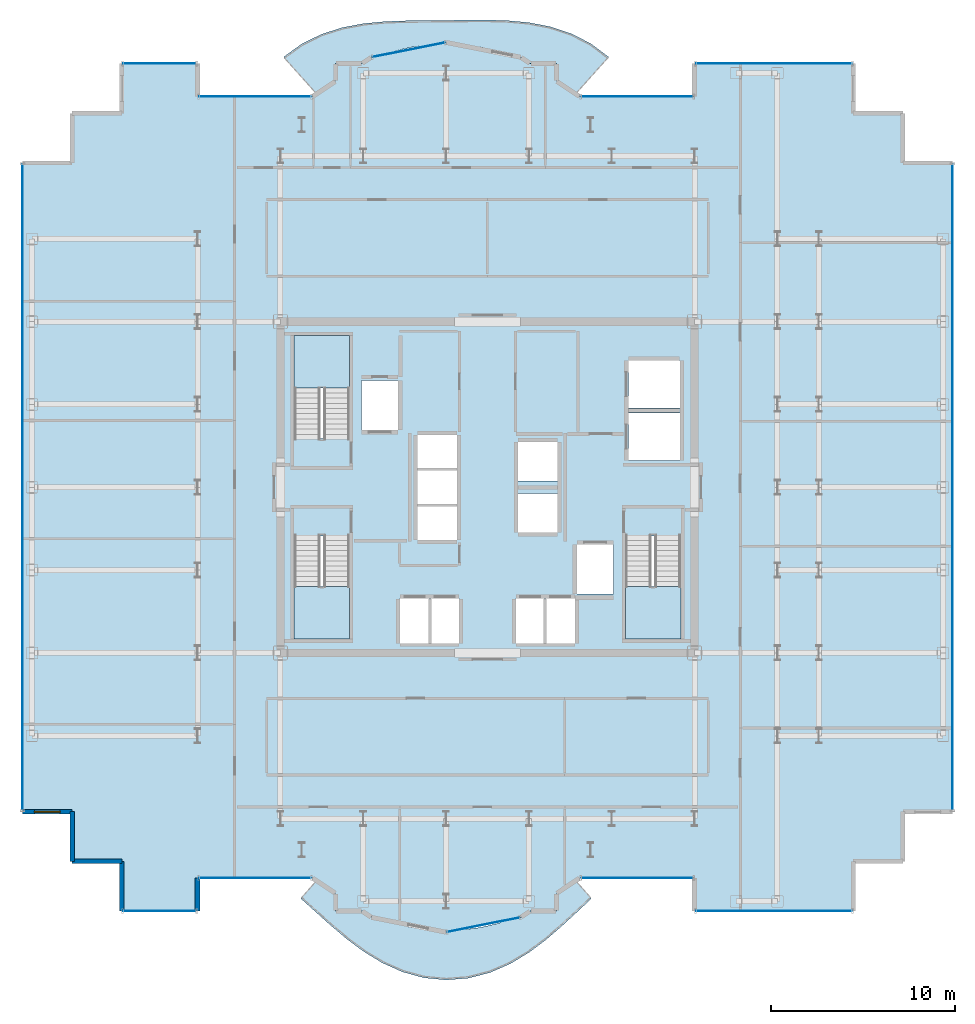
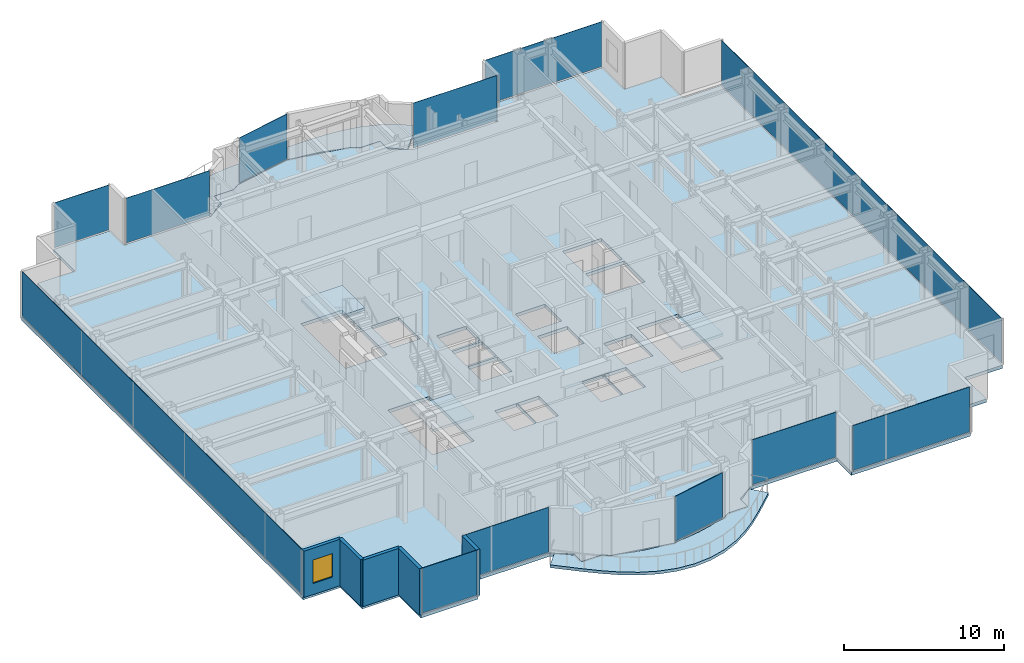
# One storey, part 13 of 20: 12 plates, 6 slabs, 5 walls, 1 window, 1 opening, 15 elements without a shape of their own.
"""IFC4 building model written with IfcOpenShell, lengths in metres."""

from ifc_helpers import new_model, si_unit, direction, frame, frame_2d, origin, origin_2d, place, context, subcontext, project, spatial, polyline, rectangle, outline, extrude, source, transform, mapped, material, layer, layer_set, type_object, element, fill, aggregate, save


model = new_model("IFC4")

# Units and contexts
model_context = context("Model", 3, precision=1e-05, world=origin(), true_north=direction((0.0, 1.0)))
body_context = subcontext(model_context, "Body", "Model", "MODEL_VIEW")
ifc_project = project(units=[si_unit("LENGTHUNIT", "METRE"), si_unit("AREAUNIT", "SQUARE_METRE"), si_unit("VOLUMEUNIT", "CUBIC_METRE"), si_unit("PLANEANGLEUNIT", "RADIAN"), si_unit("MASSUNIT", "GRAM", prefix="KILO")], contexts=[model_context])

# Site, building, storey
site_placement = place(None, origin())
site = spatial("IfcSite", under=ifc_project, at=site_placement, CompositionType="ELEMENT")
building_placement = place(site_placement, origin())
building = spatial("IfcBuilding", under=site, at=building_placement, Name="Nefas-Gora Pilgrimage Tower", CompositionType="ELEMENT")
storey_placement = place(building_placement, frame((0.0, 0.0, 225.60009765625)))
storey = spatial("IfcBuildingStorey", under=building, at=storey_placement, Name="L56", CompositionType="ELEMENT", Elevation=225.60009765625)

# Slabs
ifc_material_1 = material(Name="Concrete C40/50", Category="concrete")
ifc_layer_1 = layer(ifc_material_1, 0.22998046875)
ifc_layer_set_1 = layer_set([ifc_layer_1], Name="Concrete C40/50")
slab_type_1 = type_object("IfcSlabType", Name="SLB-BAL-P2", PredefinedType="FLOOR", material=ifc_layer_set_1)
slab_1_placement = place(storey_placement, frame((0.0, 0.0, -0.22998046875)))
element("IfcSlab", 1, at=slab_1_placement, inside=storey, type_object=slab_type_1, Name="L56 Sinusoidal Lobe Balcony Slab N (Phase 2)", PredefinedType="FLOOR", context=body_context, shape_type="SweptSolid", body=[
    extrude(outline(polyline([(-9.28759765625, 21.385986328125), (-9.224609375, 21.427978515625), (-8.538330078125, 21.9912109375), (-8.260009765625, 22.179931640625), (-8.260009765625, 23.02001953125), (-8.260009765625, 23.02099609375), (-8.259765625, 23.02197265625), (-8.259521484375, 23.02294921875), (-8.25927734375, 23.023681640625), (-8.2587890625, 23.024658203125), (-8.25830078125, 23.025634765625), (-8.2578125, 23.0263671875), (-8.257080078125, 23.027099609375), (-8.25634765625, 23.027587890625), (-8.255615234375, 23.0283203125), (-8.254638671875, 23.02880859375), (-8.25390625, 23.029296875), (-8.2529296875, 23.029541015625), (-8.251953125, 23.02978515625), (-8.2509765625, 23.030029296875), (-8.25, 23.030029296875), (-6.8271484375, 23.030029296875), (-6.31298828125, 23.37353515625), (-6.31201171875, 23.3740234375), (-6.311279296875, 23.37451171875), (-6.310302734375, 23.375), (-6.309326171875, 23.375), (-5.63037109375, 23.51025390625), (-5.102783203125, 23.685302734375), (-4.165283203125, 23.904052734375), (-3.211669921875, 24.035888671875), (-2.919921875, 24.04931640625), (-2.251953125, 24.18212890625), (-2.2509765625, 24.182373046875), (-2.25, 24.182373046875), (-2.2490234375, 24.182373046875), (-2.248046875, 24.18212890625), (-1.580078125, 24.04931640625), (-1.288330078125, 24.035888671875), (-0.334716796875, 23.904052734375), (0.602783203125, 23.685302734375), (1.13037109375, 23.51025390625), (1.809326171875, 23.375), (1.810302734375, 23.375), (1.811279296875, 23.37451171875), (1.81201171875, 23.3740234375), (1.81298828125, 23.37353515625), (2.3271484375, 23.030029296875), (3.75, 23.030029296875), (3.7509765625, 23.030029296875), (3.751953125, 23.02978515625), (3.7529296875, 23.029541015625), (3.75390625, 23.029296875), (3.754638671875, 23.02880859375), (3.755615234375, 23.0283203125), (3.75634765625, 23.027587890625), (3.757080078125, 23.027099609375), (3.7578125, 23.0263671875), (3.75830078125, 23.025634765625), (3.7587890625, 23.024658203125), (3.75927734375, 23.023681640625), (3.759521484375, 23.02294921875), (3.759765625, 23.02197265625), (3.760009765625, 23.02099609375), (3.760009765625, 23.02001953125), (3.760009765625, 22.179931640625), (4.038330078125, 21.9912109375), (4.724609375, 21.427978515625), (4.78759765625, 21.385986328125), (6.58251953125, 23.37939453125), (5.61669921875, 24.10498046875), (4.54248046875, 24.654296875), (3.401611328125, 25.0302734375), (2.23486328125, 25.25341796875), (1.074951171875, 25.359130859375), (-0.059326171875, 25.389404296875), (-1.16455078125, 25.3837890625), (-2.25, 25.37060546875), (-3.33349609375, 25.36181640625), (-4.43310546875, 25.349365234375), (-5.560302734375, 25.307861328125), (-6.714111328125, 25.19921875), (-7.87744140625, 24.9814453125), (-9.0205078125, 24.618408203125), (-10.102294921875, 24.085693359375), (-11.080810546875, 23.377685546875), (-9.28759765625, 21.385986328125)])), origin(), (0.0, 0.0, 1.0), 0.22998046875),
])
ifc_layer_2 = layer(ifc_material_1, 0.219970703125)
ifc_layer_set_2 = layer_set([ifc_layer_2], Name="Concrete C40/50")
slab_type_2 = type_object("IfcSlabType", Name="SLB-BAL-P6", PredefinedType="FLOOR", material=ifc_layer_set_2)
slab_2_placement = place(storey_placement, frame((0.0, 0.0, -0.22021484375)))
element("IfcSlab", 2, at=slab_2_placement, inside=storey, type_object=slab_type_2, Name="L56 Sinusoidal Lobe Balcony Slab S (Phase 6)", PredefinedType="FLOOR", context=body_context, shape_type="SweptSolid", body=[
    extrude(outline(polyline([(4.78759765625, -21.385986328125), (4.724609375, -21.427978515625), (4.038330078125, -21.9912109375), (3.760009765625, -22.179931640625), (3.760009765625, -23.02001953125), (3.760009765625, -23.02099609375), (3.759765625, -23.02197265625), (3.759521484375, -23.02294921875), (3.75927734375, -23.023681640625), (3.7587890625, -23.024658203125), (3.75830078125, -23.025634765625), (3.7578125, -23.0263671875), (3.757080078125, -23.027099609375), (3.75634765625, -23.027587890625), (3.755615234375, -23.0283203125), (3.754638671875, -23.02880859375), (3.75390625, -23.029296875), (3.7529296875, -23.029541015625), (3.751953125, -23.02978515625), (3.7509765625, -23.030029296875), (3.75, -23.030029296875), (2.3271484375, -23.030029296875), (1.81298828125, -23.37353515625), (1.81201171875, -23.3740234375), (1.811279296875, -23.37451171875), (1.810302734375, -23.375), (1.809326171875, -23.375), (1.13037109375, -23.51025390625), (0.602783203125, -23.685302734375), (-0.334716796875, -23.904052734375), (-1.288330078125, -24.035888671875), (-1.580078125, -24.04931640625), (-2.248046875, -24.18212890625), (-2.2490234375, -24.182373046875), (-2.25, -24.182373046875), (-2.2509765625, -24.182373046875), (-2.251953125, -24.18212890625), (-2.919921875, -24.04931640625), (-3.211669921875, -24.035888671875), (-4.165283203125, -23.904052734375), (-5.102783203125, -23.685302734375), (-5.63037109375, -23.51025390625), (-6.309326171875, -23.375), (-6.310302734375, -23.375), (-6.311279296875, -23.37451171875), (-6.31201171875, -23.3740234375), (-6.31298828125, -23.37353515625), (-6.8271484375, -23.030029296875), (-8.25, -23.030029296875), (-8.2509765625, -23.030029296875), (-8.251953125, -23.02978515625), (-8.2529296875, -23.029541015625), (-8.25390625, -23.029296875), (-8.254638671875, -23.02880859375), (-8.255615234375, -23.0283203125), (-8.25634765625, -23.027587890625), (-8.257080078125, -23.027099609375), (-8.2578125, -23.0263671875), (-8.25830078125, -23.025634765625), (-8.2587890625, -23.024658203125), (-8.25927734375, -23.023681640625), (-8.259521484375, -23.02294921875), (-8.259765625, -23.02197265625), (-8.260009765625, -23.02099609375), (-8.260009765625, -23.02001953125), (-8.260009765625, -22.179931640625), (-8.538330078125, -21.9912109375), (-9.224609375, -21.427978515625), (-9.28759765625, -21.385986328125), (-10.145751953125, -22.339111328125), (-9.34130859375, -23.06640625), (-8.52001953125, -23.801513671875), (-7.65576171875, -24.53173828125), (-6.724365234375, -25.226318359375), (-5.711181640625, -25.84228515625), (-4.615234375, -26.33203125), (-3.451904296875, -26.6513671875), (-2.25, -26.769287109375), (-1.0458984375, -26.67333984375), (0.122802734375, -26.3720703125), (1.2255859375, -25.8935546875), (2.2451171875, -25.280517578125), (3.1796875, -24.580322265625), (4.0419921875, -23.837646484375), (4.855712890625, -23.085693359375), (5.6474609375, -22.3408203125), (4.78759765625, -21.385986328125)])), origin(), (0.0, 0.0, 1.0), 0.22021484375),
])
ifc_layer_3 = layer(ifc_material_1, 0.25)
ifc_layer_set_3 = layer_set([ifc_layer_3], Name="Concrete C40/50")
slab_type_3 = type_object("IfcSlabType", Name="SLB-TWR-260", PredefinedType="FLOOR", material=ifc_layer_set_3)
slab_3_placement = place(storey_placement, frame((0.0, 0.0, -0.25)))
element("IfcSlab", 3, at=slab_3_placement, inside=storey, type_object=slab_type_3, Name="L56 Structural Floor Slab", PredefinedType="FLOOR", context=body_context, shape_type="SweptSolid", body=[
    extrude(outline(polyline([(5.01806640625, -21.219970703125), (11.25, -21.219970703125), (11.25, -23.02001953125), (19.8701171875, -23.02001953125), (19.8701171875, -20.320068359375), (22.570068359375, -20.320068359375), (22.570068359375, -17.6201171875), (25.27001953125, -17.6201171875), (25.27001953125, 17.6201171875), (22.570068359375, 17.6201171875), (22.570068359375, 20.320068359375), (19.8701171875, 20.320068359375), (19.8701171875, 23.02001953125), (11.25, 23.02001953125), (11.25, 21.219970703125), (5.01806640625, 21.219970703125), (3.75, 22.0673828125), (3.75, 23.02001953125), (2.32421875, 23.02001953125), (1.807373046875, 23.365234375), (-2.25, 24.17236328125), (-6.307373046875, 23.365234375), (-6.82421875, 23.02001953125), (-8.25, 23.02001953125), (-8.25, 22.0673828125), (-9.51806640625, 21.219970703125), (-15.75, 21.219970703125), (-15.75, 23.02001953125), (-19.8701171875, 23.02001953125), (-19.8701171875, 20.320068359375), (-22.570068359375, 20.320068359375), (-22.570068359375, 17.6201171875), (-25.27001953125, 17.6201171875), (-25.27001953125, -17.6201171875), (-22.570068359375, -17.6201171875), (-22.570068359375, -20.320068359375), (-19.8701171875, -20.320068359375), (-19.8701171875, -23.02001953125), (-15.75, -23.02001953125), (-15.75, -21.219970703125), (-9.51806640625, -21.219970703125), (-8.25, -22.0673828125), (-8.25, -23.02001953125), (-6.82421875, -23.02001953125), (-6.307373046875, -23.365234375), (-2.25, -24.17236328125), (1.807373046875, -23.365234375), (2.32421875, -23.02001953125), (3.75, -23.02001953125), (3.75, -22.0673828125), (5.01806640625, -21.219970703125)]), holes=[polyline([(-10.5, 2.639892578125), (-10.5, 8.25), (-7.5, 8.25), (-7.5, 2.639892578125), (-10.5, 2.639892578125)]), polyline([(10.5, -2.639892578125), (10.5, -8.25), (7.5, -8.25), (7.5, -2.639892578125), (10.5, -2.639892578125)]), polyline([(-7.5, -2.639892578125), (-7.5, -8.25), (-10.5, -8.25), (-10.5, -2.639892578125), (-7.5, -2.639892578125)]), polyline([(-6.85009765625, 5.800048828125), (-4.85009765625, 5.800048828125), (-4.85009765625, 3.10009765625), (-6.85009765625, 3.10009765625), (-6.85009765625, 5.800048828125)]), polyline([(4.85009765625, -3.10009765625), (6.85009765625, -3.10009765625), (6.85009765625, -5.800048828125), (4.85009765625, -5.800048828125), (4.85009765625, -3.10009765625)]), polyline([(7.64990234375, 4.050048828125), (10.449951171875, 4.050048828125), (10.449951171875, 1.449951171875), (7.64990234375, 1.449951171875), (7.64990234375, 4.050048828125)]), polyline([(7.64990234375, 6.89990234375), (10.449951171875, 6.89990234375), (10.449951171875, 4.300048828125), (7.64990234375, 4.300048828125), (7.64990234375, 6.89990234375)]), polyline([(-4.75, -6.050048828125), (-3.14990234375, -6.050048828125), (-3.14990234375, -8.5), (-4.75, -8.5), (-4.75, -6.050048828125)]), polyline([(-3.10009765625, -6.050048828125), (-1.550048828125, -6.050048828125), (-1.550048828125, -8.5), (-3.10009765625, -8.5), (-3.10009765625, -6.050048828125)]), polyline([(1.550048828125, -6.050048828125), (3.10009765625, -6.050048828125), (3.10009765625, -8.5), (1.550048828125, -8.5), (1.550048828125, -6.050048828125)]), polyline([(3.14990234375, -6.050048828125), (4.75, -6.050048828125), (4.75, -8.5), (3.14990234375, -8.5), (3.14990234375, -6.050048828125)]), polyline([(-3.800048828125, -1.050048828125), (-1.64990234375, -1.050048828125), (-1.64990234375, -2.85009765625), (-3.800048828125, -2.85009765625), (-3.800048828125, -1.050048828125)]), polyline([(-3.800048828125, 0.89990234375), (-1.64990234375, 0.89990234375), (-1.64990234375, -0.89990234375), (-3.800048828125, -0.89990234375), (-3.800048828125, 0.89990234375)]), polyline([(-3.800048828125, 2.85009765625), (-1.64990234375, 2.85009765625), (-1.64990234375, 1.050048828125), (-3.800048828125, 1.050048828125), (-3.800048828125, 2.85009765625)]), polyline([(1.64990234375, -0.35009765625), (3.800048828125, -0.35009765625), (3.800048828125, -2.449951171875), (1.64990234375, -2.449951171875), (1.64990234375, -0.35009765625)]), polyline([(1.64990234375, 2.449951171875), (3.800048828125, 2.449951171875), (3.800048828125, 0.35009765625), (1.64990234375, 0.35009765625), (1.64990234375, 2.449951171875)])]), origin(), (0.0, 0.0, 1.0), 0.25),
])

# Stair, slab
ifc_material_2 = material(Name="Concrete C45/55", Category="concrete")
stair_type = type_object("IfcStairType", Name="STR-1400-R1727", PredefinedType="HALF_TURN_STAIR", material=ifc_material_2)
stair_1_placement = place(storey_placement, origin())
stair_1 = element("IfcStair", 4, at=stair_1_placement, inside=storey, type_object=stair_type, Name="L56 Pressurised Tower Exit Stair ST-01", PredefinedType="HALF_TURN_STAIR")
ifc_layer_4 = layer(ifc_material_1, 0.199951171875)
ifc_layer_set_4 = layer_set([ifc_layer_4], Name="Concrete C40/50")
slab_type_4 = type_object("IfcSlabType", Name="STR-LAND-200", PredefinedType="LANDING", material=ifc_layer_set_4)
slab_4_placement = place(storey_placement, frame((0.0, 0.0, 1.699951171875)))
slab_4 = element("IfcSlab", 5, at=slab_4_placement, type_object=slab_type_4, Name="ST-01 landing 1", PredefinedType="LANDING", context=body_context, shape_type="SweptSolid", body=[
    extrude(outline(polyline([(-7.5, 5.39990234375), (-7.5, 8.25), (-10.5, 8.25), (-10.5, 5.39990234375), (-7.5, 5.39990234375)])), origin(), (0.0, 0.0, 1.0), 0.199951171875),
])
aggregate(stair_1, [slab_4])

stair_2_placement = place(storey_placement, origin())
stair_2 = element("IfcStair", 6, at=stair_2_placement, inside=storey, type_object=stair_type, Name="L56 Pressurised Tower Exit Stair ST-02", PredefinedType="HALF_TURN_STAIR")
slab_5_placement = place(storey_placement, frame((0.0, 0.0, 1.699951171875)))
slab_5 = element("IfcSlab", 7, at=slab_5_placement, type_object=slab_type_4, Name="ST-02 landing 1", PredefinedType="LANDING", context=body_context, shape_type="SweptSolid", body=[
    extrude(outline(polyline([(7.5, -5.39990234375), (7.5, -8.25), (10.5, -8.25), (10.5, -5.39990234375), (7.5, -5.39990234375)])), origin(), (0.0, 0.0, 1.0), 0.199951171875),
])
aggregate(stair_2, [slab_5])

stair_3_placement = place(storey_placement, origin())
stair_3 = element("IfcStair", 8, at=stair_3_placement, inside=storey, type_object=stair_type, Name="L56 Pressurised Tower Exit Stair ST-03", PredefinedType="HALF_TURN_STAIR")
slab_6_placement = place(storey_placement, frame((0.0, 0.0, 1.699951171875)))
slab_6 = element("IfcSlab", 9, at=slab_6_placement, type_object=slab_type_4, Name="ST-03 landing 1", PredefinedType="LANDING", context=body_context, shape_type="SweptSolid", body=[
    extrude(outline(polyline([(-10.5, -5.39990234375), (-10.5, -8.25), (-7.5, -8.25), (-7.5, -5.39990234375), (-10.5, -5.39990234375)])), origin(), (0.0, 0.0, 1.0), 0.199951171875),
])
aggregate(stair_3, [slab_6])

# Curtain wall, plate
ifc_material_3 = material(Name="Dark ceramic-fritted solar-control aluminium-glass curtain wall", Category="aluminium")
ifc_layer_5 = layer(ifc_material_3, 0.219970703125)
ifc_layer_set_5 = layer_set([ifc_layer_5], Name="Dark ceramic-fritted solar-control aluminium-glass curtain wall")
curtain_wall_type_1 = type_object("IfcCurtainWallType", Name="CW-SYS-5", PredefinedType="NOTDEFINED", material=ifc_layer_set_5)
curtain_wall_1_placement = place(storey_placement, origin())
curtain_wall_1 = element("IfcCurtainWall", 10, at=curtain_wall_1_placement, inside=storey, type_object=curtain_wall_type_1, Name="L56 Unitised Curtain Wall CW5", PredefinedType="NOTDEFINED")
ifc_material_4 = material(Name="Dark ceramic-printed low-e insulated glass", Category="glass")
ifc_layer_6 = layer(ifc_material_4, 0.028076171875)
ifc_layer_set_6 = layer_set([ifc_layer_6], Name="Dark ceramic-printed low-e insulated glass")
plate_type_1 = type_object("IfcPlateType", Name="CWP-PNL-5", PredefinedType="CURTAIN_PANEL", material=ifc_layer_set_6)
shared_shape_1 = source(origin(), body_context, "Body", "SweptSolid", [
    extrude(rectangle(XDim=6.052001953125, YDim=0.028076171875, at=origin_2d()), origin(), (0.0, 0.0, 1.0), 3.43994140625),
])
plate_1_placement = place(storey_placement, frame((8.134033203125, -21.219970703125, 0.099853515625), z_axis=(0.0, 0.0, 1.0), x_axis=(1.0, 0.0, 0.0)))
plate_1 = element("IfcPlate", 11, at=plate_1_placement, type_object=plate_type_1, Name="CW5 Ceramic-Fritted Glazing Panel 1", PredefinedType="CURTAIN_PANEL", context=body_context, shape_type="MappedRepresentation", body=[
    mapped(shared_shape_1, transform((0.0, 0.0, 0.0), x_axis=(1.0, 0.0, 0.0), y_axis=(0.0, 1.0, 0.0), z_axis=(0.0, 0.0, 1.0), scale=1.0)),
])
aggregate(curtain_wall_1, [plate_1])

curtain_wall_2_placement = place(storey_placement, origin())
curtain_wall_2 = element("IfcCurtainWall", 12, at=curtain_wall_2_placement, inside=storey, type_object=curtain_wall_type_1, Name="L56 Unitised Curtain Wall CW5", PredefinedType="NOTDEFINED")
plate_2_placement = place(storey_placement, frame((8.134033203125, 21.219970703125, 0.099853515625), z_axis=(0.0, 0.0, 1.0), x_axis=(-1.0, 0.0, 0.0)))
plate_2 = element("IfcPlate", 13, at=plate_2_placement, type_object=plate_type_1, Name="CW5 Ceramic-Fritted Glazing Panel 1", PredefinedType="CURTAIN_PANEL", context=body_context, shape_type="MappedRepresentation", body=[
    mapped(shared_shape_1, transform((0.0, 0.0, 0.0), x_axis=(1.0, 0.0, 0.0), y_axis=(0.0, 1.0, 0.0), z_axis=(0.0, 0.0, 1.0), scale=1.0)),
])
aggregate(curtain_wall_2, [plate_2])

curtain_wall_3_placement = place(storey_placement, origin())
curtain_wall_3 = element("IfcCurtainWall", 14, at=curtain_wall_3_placement, inside=storey, type_object=curtain_wall_type_1, Name="L56 Unitised Curtain Wall CW5", PredefinedType="NOTDEFINED")
plate_3_placement = place(storey_placement, frame((-12.634033203125, 21.219970703125, 0.099853515625), z_axis=(0.0, 0.0, 1.0), x_axis=(-1.0, 0.0, 0.0)))
plate_3 = element("IfcPlate", 15, at=plate_3_placement, type_object=plate_type_1, Name="CW5 Ceramic-Fritted Glazing Panel 1", PredefinedType="CURTAIN_PANEL", context=body_context, shape_type="MappedRepresentation", body=[
    mapped(shared_shape_1, transform((0.0, 0.0, 0.0), x_axis=(1.0, 0.0, 0.0), y_axis=(0.0, 1.0, 0.0), z_axis=(0.0, 0.0, 1.0), scale=1.0)),
])
aggregate(curtain_wall_3, [plate_3])

curtain_wall_4_placement = place(storey_placement, origin())
curtain_wall_4 = element("IfcCurtainWall", 16, at=curtain_wall_4_placement, inside=storey, type_object=curtain_wall_type_1, Name="L56 Unitised Curtain Wall CW5", PredefinedType="NOTDEFINED")
plate_4_placement = place(storey_placement, frame((-12.634033203125, -21.219970703125, 0.099853515625), z_axis=(0.0, 0.0, 1.0), x_axis=(1.0, 0.0, 0.0)))
plate_4 = element("IfcPlate", 17, at=plate_4_placement, type_object=plate_type_1, Name="CW5 Ceramic-Fritted Glazing Panel 1", PredefinedType="CURTAIN_PANEL", context=body_context, shape_type="MappedRepresentation", body=[
    mapped(shared_shape_1, transform((0.0, 0.0, 0.0), x_axis=(1.0, 0.0, 0.0), y_axis=(0.0, 1.0, 0.0), z_axis=(0.0, 0.0, 1.0), scale=1.0)),
])
aggregate(curtain_wall_4, [plate_4])

curtain_wall_5_placement = place(storey_placement, origin())
curtain_wall_5 = element("IfcCurtainWall", 18, at=curtain_wall_5_placement, inside=storey, type_object=curtain_wall_type_1, Name="L56 Unitised Curtain Wall CW5", PredefinedType="NOTDEFINED")
shared_shape_2 = source(origin(), body_context, "Body", "SweptSolid", [
    extrude(rectangle(XDim=3.956787109375, YDim=0.028076171875, at=origin_2d()), origin(), (0.0, 0.0, 1.0), 3.43994140625),
])
plate_5_placement = place(storey_placement, frame((-4.278564453125, 23.768798828125, 0.099853515625), z_axis=(0.0, 0.0, 1.0), x_axis=(-0.980782896852, -0.195102304554, 0.0)))
plate_5 = element("IfcPlate", 19, at=plate_5_placement, type_object=plate_type_1, Name="CW5 Ceramic-Fritted Glazing Panel 1", PredefinedType="CURTAIN_PANEL", context=body_context, shape_type="MappedRepresentation", body=[
    mapped(shared_shape_2, transform((0.0, 0.0, 0.0), x_axis=(1.0, 0.0, 0.0), y_axis=(0.0, 1.0, 0.0), z_axis=(0.0, 0.0, 1.0), scale=1.0)),
])
aggregate(curtain_wall_5, [plate_5])

curtain_wall_6_placement = place(storey_placement, origin())
curtain_wall_6 = element("IfcCurtainWall", 20, at=curtain_wall_6_placement, inside=storey, type_object=curtain_wall_type_1, Name="L56 Unitised Curtain Wall CW5", PredefinedType="NOTDEFINED")
plate_6_placement = place(storey_placement, frame((-0.221435546875, -23.768798828125, 0.099853515625), z_axis=(0.0, 0.0, 1.0), x_axis=(0.980782896852, 0.195102304554, 0.0)))
plate_6 = element("IfcPlate", 21, at=plate_6_placement, type_object=plate_type_1, Name="CW5 Ceramic-Fritted Glazing Panel 1", PredefinedType="CURTAIN_PANEL", context=body_context, shape_type="MappedRepresentation", body=[
    mapped(shared_shape_2, transform((0.0, 0.0, 0.0), x_axis=(1.0, 0.0, 0.0), y_axis=(0.0, 1.0, 0.0), z_axis=(0.0, 0.0, 1.0), scale=1.0)),
])
aggregate(curtain_wall_6, [plate_6])

ifc_layer_7 = layer(ifc_material_3, 0.219970703125)
ifc_layer_set_7 = layer_set([ifc_layer_7], Name="Dark ceramic-fritted solar-control aluminium-glass curtain wall")
curtain_wall_type_2 = type_object("IfcCurtainWallType", Name="CW-SYS-3", PredefinedType="NOTDEFINED", material=ifc_layer_set_7)
curtain_wall_7_placement = place(storey_placement, origin())
curtain_wall_7 = element("IfcCurtainWall", 22, at=curtain_wall_7_placement, inside=storey, type_object=curtain_wall_type_2, Name="L56 Unitised Curtain Wall CW3", PredefinedType="NOTDEFINED")
ifc_layer_8 = layer(ifc_material_4, 0.033935546875)
ifc_layer_set_8 = layer_set([ifc_layer_8], Name="Dark ceramic-printed low-e insulated glass")
plate_type_2 = type_object("IfcPlateType", Name="CWP-PNL-3", PredefinedType="CURTAIN_PANEL", material=ifc_layer_set_8)
shared_shape_3 = source(origin(), body_context, "Body", "SweptSolid", [
    extrude(rectangle(XDim=8.43994140625, YDim=0.033935546875, at=origin_2d()), origin(), (0.0, 0.0, 1.0), 3.43994140625),
])
plate_7_placement = place(storey_placement, frame((15.56005859375, -23.02001953125, 0.099853515625), z_axis=(0.0, 0.0, 1.0), x_axis=(1.0, 0.0, 0.0)))
plate_7 = element("IfcPlate", 23, at=plate_7_placement, type_object=plate_type_2, Name="CW3 Ceramic-Fritted Glazing Panel 1", PredefinedType="CURTAIN_PANEL", context=body_context, shape_type="MappedRepresentation", body=[
    mapped(shared_shape_3, transform((0.0, 0.0, 0.0), x_axis=(1.0, 0.0, 0.0), y_axis=(0.0, 1.0, 0.0), z_axis=(0.0, 0.0, 1.0), scale=1.0)),
])
aggregate(curtain_wall_7, [plate_7])

curtain_wall_8_placement = place(storey_placement, origin())
curtain_wall_8 = element("IfcCurtainWall", 24, at=curtain_wall_8_placement, inside=storey, type_object=curtain_wall_type_2, Name="L56 Unitised Curtain Wall CW3", PredefinedType="NOTDEFINED")
plate_8_placement = place(storey_placement, frame((15.56005859375, 23.02001953125, 0.099853515625), z_axis=(0.0, 0.0, 1.0), x_axis=(-1.0, 0.0, 0.0)))
plate_8 = element("IfcPlate", 25, at=plate_8_placement, type_object=plate_type_2, Name="CW3 Ceramic-Fritted Glazing Panel 1", PredefinedType="CURTAIN_PANEL", context=body_context, shape_type="MappedRepresentation", body=[
    mapped(shared_shape_3, transform((0.0, 0.0, 0.0), x_axis=(1.0, 0.0, 0.0), y_axis=(0.0, 1.0, 0.0), z_axis=(0.0, 0.0, 1.0), scale=1.0)),
])
aggregate(curtain_wall_8, [plate_8])

curtain_wall_9_placement = place(storey_placement, origin())
curtain_wall_9 = element("IfcCurtainWall", 26, at=curtain_wall_9_placement, inside=storey, type_object=curtain_wall_type_2, Name="L56 Unitised Curtain Wall CW3", PredefinedType="NOTDEFINED")
shared_shape_4 = source(origin(), body_context, "Body", "SweptSolid", [
    extrude(rectangle(XDim=35.06005859375, YDim=0.033935546875, at=origin_2d()), origin(), (0.0, 0.0, 1.0), 3.43994140625),
])
plate_9_placement = place(storey_placement, frame((25.27001953125, 0.0, 0.099853515625), z_axis=(0.0, 0.0, 1.0), x_axis=(0.0, 1.0, 0.0)))
plate_9 = element("IfcPlate", 27, at=plate_9_placement, type_object=plate_type_2, Name="CW3 Ceramic-Fritted Glazing Panel 1", PredefinedType="CURTAIN_PANEL", context=body_context, shape_type="MappedRepresentation", body=[
    mapped(shared_shape_4, transform((0.0, 0.0, 0.0), x_axis=(1.0, 0.0, 0.0), y_axis=(0.0, 1.0, 0.0), z_axis=(0.0, 0.0, 1.0), scale=1.0)),
])
aggregate(curtain_wall_9, [plate_9])

curtain_wall_10_placement = place(storey_placement, origin())
curtain_wall_10 = element("IfcCurtainWall", 28, at=curtain_wall_10_placement, inside=storey, type_object=curtain_wall_type_2, Name="L56 Unitised Curtain Wall CW3", PredefinedType="NOTDEFINED")
plate_10_placement = place(storey_placement, frame((-25.27001953125, 0.0, 0.099853515625), z_axis=(0.0, 0.0, 1.0), x_axis=(0.0, -1.0, 0.0)))
plate_10 = element("IfcPlate", 29, at=plate_10_placement, type_object=plate_type_2, Name="CW3 Ceramic-Fritted Glazing Panel 1", PredefinedType="CURTAIN_PANEL", context=body_context, shape_type="MappedRepresentation", body=[
    mapped(shared_shape_4, transform((0.0, 0.0, 0.0), x_axis=(1.0, 0.0, 0.0), y_axis=(0.0, 1.0, 0.0), z_axis=(0.0, 0.0, 1.0), scale=1.0)),
])
aggregate(curtain_wall_10, [plate_10])

curtain_wall_11_placement = place(storey_placement, origin())
curtain_wall_11 = element("IfcCurtainWall", 30, at=curtain_wall_11_placement, inside=storey, type_object=curtain_wall_type_2, Name="L56 Unitised Curtain Wall CW3", PredefinedType="NOTDEFINED")
shared_shape_5 = source(origin(), body_context, "Body", "SweptSolid", [
    extrude(rectangle(XDim=3.93994140625, YDim=0.033935546875, at=origin_2d()), origin(), (0.0, 0.0, 1.0), 3.43994140625),
])
plate_11_placement = place(storey_placement, frame((-17.81005859375, 23.02001953125, 0.099853515625), z_axis=(0.0, 0.0, 1.0), x_axis=(-1.0, 0.0, 0.0)))
plate_11 = element("IfcPlate", 31, at=plate_11_placement, type_object=plate_type_2, Name="CW3 Ceramic-Fritted Glazing Panel 1", PredefinedType="CURTAIN_PANEL", context=body_context, shape_type="MappedRepresentation", body=[
    mapped(shared_shape_5, transform((0.0, 0.0, 0.0), x_axis=(1.0, 0.0, 0.0), y_axis=(0.0, 1.0, 0.0), z_axis=(0.0, 0.0, 1.0), scale=1.0)),
])
aggregate(curtain_wall_11, [plate_11])

curtain_wall_12_placement = place(storey_placement, origin())
curtain_wall_12 = element("IfcCurtainWall", 32, at=curtain_wall_12_placement, inside=storey, type_object=curtain_wall_type_2, Name="L56 Unitised Curtain Wall CW3", PredefinedType="NOTDEFINED")
plate_12_placement = place(storey_placement, frame((-17.81005859375, -23.02001953125, 0.099853515625), z_axis=(0.0, 0.0, 1.0), x_axis=(1.0, 0.0, 0.0)))
plate_12 = element("IfcPlate", 33, at=plate_12_placement, type_object=plate_type_2, Name="CW3 Ceramic-Fritted Glazing Panel 1", PredefinedType="CURTAIN_PANEL", context=body_context, shape_type="MappedRepresentation", body=[
    mapped(shared_shape_5, transform((0.0, 0.0, 0.0), x_axis=(1.0, 0.0, 0.0), y_axis=(0.0, 1.0, 0.0), z_axis=(0.0, 0.0, 1.0), scale=1.0)),
])
aggregate(curtain_wall_12, [plate_12])

# Wall
ifc_material_5 = material(Name="Precast concrete C40/50", Category="concrete")
ifc_layer_9 = layer(ifc_material_5, 0.260009765625)
ifc_layer_set_9 = layer_set([ifc_layer_9], Name="Precast concrete C40/50")
wall_type_1 = type_object("IfcWallType", Name="EW-PORTAL-260", PredefinedType="SOLIDWALL", material=ifc_layer_set_9)
shared_shape_6 = source(origin(), body_context, "Body", "SweptSolid", [
    extrude(rectangle(XDim=1.800048828125, YDim=0.260009765625, at=frame_2d((0.89990234375, 0.0))), origin(), (0.0, 0.0, 1.0), 3.5498046875),
])
wall_1_placement = place(storey_placement, frame((-15.75, -23.02001953125, 0.0), z_axis=(0.0, 0.0, 1.0), x_axis=(0.0, 1.0, 0.0)))
element("IfcWall", 34, at=wall_1_placement, inside=storey, type_object=wall_type_1, Name="L56 Lobe Shoulder Precast Spandrel Pier 29", PredefinedType="SOLIDWALL", context=body_context, shape_type="MappedRepresentation", body=[
    mapped(shared_shape_6, transform((0.0, 0.0, 0.0), x_axis=(1.0, 0.0, 0.0), y_axis=(0.0, 1.0, 0.0), z_axis=(0.0, 0.0, 1.0), scale=1.0)),
])

# Wall, opening, window
ifc_material_6 = material(Name="Precast concrete C45/55", Category="concrete")
ifc_layer_10 = layer(ifc_material_6, 0.239990234375)
ifc_layer_set_10 = layer_set([ifc_layer_10], Name="Precast concrete C45/55")
wall_type_2 = type_object("IfcWallType", Name="EW-SERR-240", PredefinedType="SHEAR", material=ifc_layer_set_10)
shared_shape_7 = source(origin(), body_context, "Body", "SweptSolid", [
    extrude(rectangle(XDim=2.699951171875, YDim=0.239990234375, at=frame_2d((1.35009765625, 0.0))), origin(), (0.0, 0.0, 1.0), 3.5498046875),
])
wall_2_placement = place(storey_placement, frame((-25.27001953125, -17.6201171875, 0.0), z_axis=(0.0, 0.0, 1.0), x_axis=(1.0, 0.0, 0.0)))
wall_2 = element("IfcWall", 35, at=wall_2_placement, inside=storey, type_object=wall_type_2, Name="L56 Serrated Corner Shear Pier Wall 25", PredefinedType="SHEAR", context=body_context, shape_type="MappedRepresentation", body=[
    mapped(shared_shape_7, transform((0.0, 0.0, 0.0), x_axis=(1.0, 0.0, 0.0), y_axis=(0.0, 1.0, 0.0), z_axis=(0.0, 0.0, 1.0), scale=1.0)),
])
opening_placement = place(wall_2_placement, frame((0.64990234375, 0.0, 0.85009765625)))
opening = element("IfcOpeningElement", 36, at=opening_placement, cuts=wall_2, Name="Opening W-V2", PredefinedType="OPENING", context=body_context, shape_type="SweptSolid", body=[
    extrude(rectangle(XDim=1.39990234375, YDim=1.800048828125, at=frame_2d((0.699951171875, 0.89990234375))), frame((0.0, 0.1298828125, 0.0), z_axis=(0.0, -1.0, 0.0), x_axis=(1.0, 0.0, 0.0)), (0.0, 0.0, 1.0), 0.260009765625),
])
ifc_material_7 = material(Name="Dark ceramic-fritted operable aluminium-glass window", Category="aluminium")
window_type = type_object("IfcWindowType", Name="WIN-VENT-1400x1800", PartitioningType="SINGLE_PANEL", PredefinedType="WINDOW", material=ifc_material_7)
shared_shape_8 = source(origin(), body_context, "Body", "SweptSolid", [
    extrude(rectangle(XDim=1.39990234375, YDim=1.800048828125, at=frame_2d((0.699951171875, 0.89990234375))), frame((0.0, 0.030029296875, 0.0), z_axis=(0.0, -1.0, 0.0), x_axis=(1.0, 0.0, 0.0)), (0.0, 0.0, 1.0), 0.06005859375),
])
window_placement = place(opening_placement, origin())
window = element("IfcWindow", 37, at=window_placement, inside=storey, type_object=window_type, Name="L56 Operable Parallel-Outswing Window 25", OverallHeight=1.800048828125, OverallWidth=1.39990234375, PartitioningType="SINGLE_PANEL", PredefinedType="WINDOW", context=body_context, shape_type="MappedRepresentation", body=[
    mapped(shared_shape_8, transform((0.0, 0.0, 0.0), x_axis=(1.0, 0.0, 0.0), y_axis=(0.0, 1.0, 0.0), z_axis=(0.0, 0.0, 1.0), scale=1.0)),
])
fill(opening, window)

# Walls
for number, where, z_axis, x_axis, name in (
    (38, (-22.570068359375, -17.6201171875, 0.0), (0.0, 0.0, 1.0), (0.0, -1.0, 0.0), "L56 Serrated Corner Shear Pier Wall 26"),
    (39, (-22.570068359375, -20.320068359375, 0.0), (0.0, 0.0, 1.0), (1.0, 0.0, 0.0), "L56 Serrated Corner Shear Pier Wall 27"),
    (40, (-19.8701171875, -20.320068359375, 0.0), (0.0, 0.0, 1.0), (0.0, -1.0, 0.0), "L56 Serrated Corner Shear Pier Wall 28"),
):
    element("IfcWall", number, at=place(storey_placement, frame(where, z_axis=z_axis, x_axis=x_axis)), inside=storey, type_object=wall_type_2, Name=name, PredefinedType="SHEAR", context=body_context, shape_type="MappedRepresentation", body=[
        mapped(shared_shape_7, transform((0.0, 0.0, 0.0), x_axis=(1.0, 0.0, 0.0), y_axis=(0.0, 1.0, 0.0), z_axis=(0.0, 0.0, 1.0), scale=1.0)),
    ])

save(model, "model.ifc")
